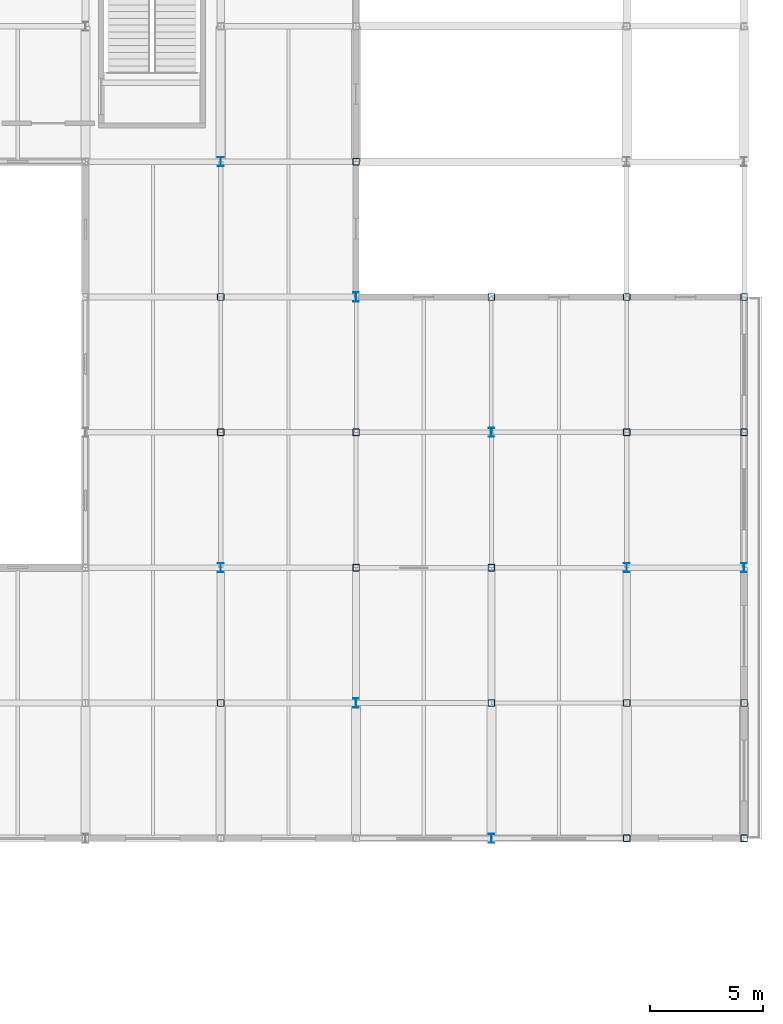
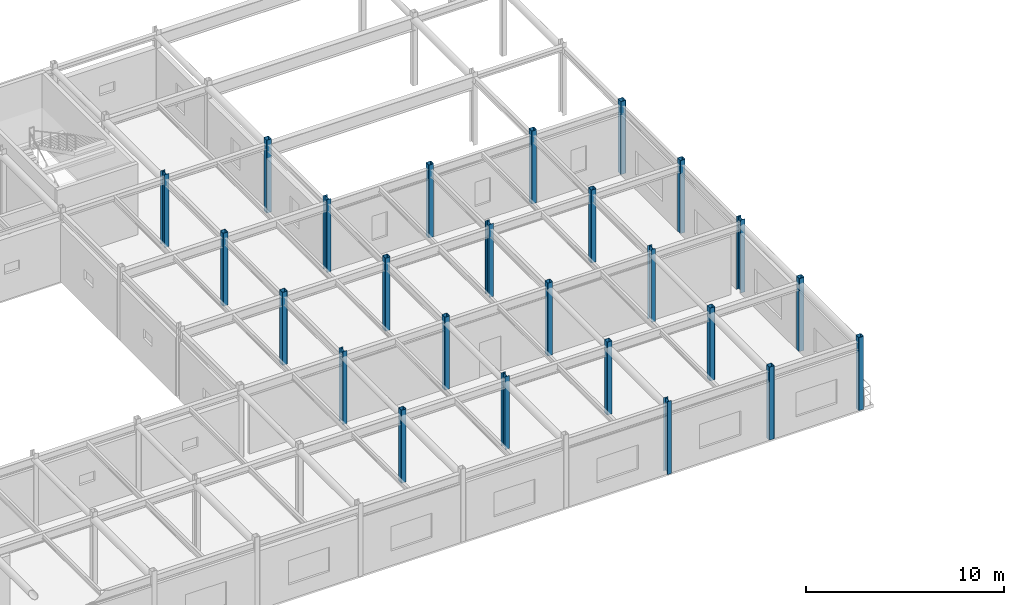
# One storey, part 21 of 96: 25 columns.
"""IFC4 building model written with IfcOpenShell, lengths in metres."""

from ifc_helpers import new_model, si_unit, direction, frame, origin, origin_2d, place, context, subcontext, project, spatial, hollow_rectangle, i_section, extrude, material, material_profile, profile_set, type_object, element, save


model = new_model("IFC4")

# Units and contexts
model_context = context("Model", 3, precision=1e-05, world=origin(), true_north=direction((0.0, 1.0)))
body_context = subcontext(model_context, "Body", "Model", "MODEL_VIEW")
ifc_project = project(units=[si_unit("LENGTHUNIT", "METRE"), si_unit("AREAUNIT", "SQUARE_METRE"), si_unit("VOLUMEUNIT", "CUBIC_METRE"), si_unit("PLANEANGLEUNIT", "RADIAN"), si_unit("MASSUNIT", "GRAM", prefix="KILO")], contexts=[model_context])

# Site, building, storey
site_placement = place(None, origin())
site = spatial("IfcSite", under=ifc_project, at=site_placement, CompositionType="ELEMENT")
building_placement = place(site_placement, origin())
building = spatial("IfcBuilding", under=site, at=building_placement, Name="Varnakota Square Police Headquarters", CompositionType="ELEMENT")
storey_placement = place(building_placement, frame((0.0, 0.0, 4.800048828125)))
storey = spatial("IfcBuildingStorey", under=building, at=storey_placement, Name="L01", CompositionType="ELEMENT", Elevation=4.800048828125)

# Columns
ifc_material = material(Name="Steel IS 2062 Grade 350", Category="steel")
ifc_material_profile_1 = material_profile(ifc_material, i_section(OverallWidth=0.25, OverallDepth=0.39990234375, WebThickness=0.010498046875, FlangeThickness=0.0126953125, FilletRadius=0.013916015625, at=origin_2d()), Name="ISHB 400")
ifc_profile_set_1 = profile_set([ifc_material_profile_1], Name="Steel IS 2062 Grade 350")
column_type_1 = type_object("IfcColumnType", Name="COL-ISHB400", PredefinedType="COLUMN", material=ifc_profile_set_1)
for number, where, z_axis, x_axis, name in (
    (1, (138.0, 81.0, 0.0), (0.0, 0.0, 1.0), (1.0, 0.0, 0.0), "Column X1380-Y0810 L01"),
    (2, (138.0, 99.0, 0.0), (0.0, 0.0, 1.0), (1.0, 0.0, 0.0), "Column X1380-Y0990 L01"),
    (3, (144.0, 75.0, 0.0), (0.0, 0.0, 1.0), (1.0, 0.0, 0.0), "Column X1440-Y0750 L01"),
    (4, (144.0, 93.0, 0.0), (0.0, 0.0, 1.0), (1.0, 0.0, 0.0), "Column X1440-Y0930 L01"),
    (5, (150.0, 69.0, 0.0), (0.0, 0.0, 1.0), (1.0, 0.0, 0.0), "Column X1500-Y0690 L01"),
    (6, (150.0, 87.0, 0.0), (0.0, 0.0, 1.0), (1.0, 0.0, 0.0), "Column X1500-Y0870 L01"),
    (7, (156.0, 81.0, 0.0), (0.0, 0.0, 1.0), (1.0, 0.0, 0.0), "Column X1560-Y0810 L01"),
    (8, (161.199951171875, 81.0, 0.0), (0.0, 0.0, 1.0), (1.0, 0.0, 0.0), "Column X1612-Y0810 L01"),
):
    element("IfcColumn", number, at=place(storey_placement, frame(where, z_axis=z_axis, x_axis=x_axis)), inside=storey, type_object=column_type_1, Name=name, PredefinedType="COLUMN", context=body_context, shape_type="SweptSolid", body=[
        extrude(i_section(OverallWidth=0.25, OverallDepth=0.39990234375, WebThickness=0.010498046875, FlangeThickness=0.0126953125, FilletRadius=0.013916015625, at=origin_2d()), origin(), (0.0, 0.0, 1.0), 4.5),
    ])
ifc_material_profile_2 = material_profile(ifc_material, hollow_rectangle(XDim=0.300048828125, YDim=0.300048828125, WallThickness=0.01611328125, InnerFilletRadius=0.01611328125, OuterFilletRadius=0.031982421875, at=origin_2d()), Name="SHS 300x300x16")
ifc_profile_set_2 = profile_set([ifc_material_profile_2], Name="Steel IS 2062 Grade 350")
column_type_2 = type_object("IfcColumnType", Name="COL-SHS300", PredefinedType="COLUMN", material=ifc_profile_set_2)
for number, where, z_axis, x_axis, name in (
    (9, (138.0, 75.0, 0.0), (0.0, 0.0, 1.0), (1.0, 0.0, 0.0), "Column X1380-Y0750 L01"),
    (10, (138.0, 87.0, 0.0), (0.0, 0.0, 1.0), (1.0, 0.0, 0.0), "Column X1380-Y0870 L01"),
    (11, (138.0, 93.0, 0.0), (0.0, 0.0, 1.0), (1.0, 0.0, 0.0), "Column X1380-Y0930 L01"),
    (12, (144.0, 81.0, 0.0), (0.0, 0.0, 1.0), (1.0, 0.0, 0.0), "Column X1440-Y0810 L01"),
    (13, (144.0, 87.0, 0.0), (0.0, 0.0, 1.0), (1.0, 0.0, 0.0), "Column X1440-Y0870 L01"),
    (14, (144.0, 99.0, 0.0), (0.0, 0.0, 1.0), (1.0, 0.0, 0.0), "Column X1440-Y0990 L01"),
    (15, (150.0, 75.0, 0.0), (0.0, 0.0, 1.0), (1.0, 0.0, 0.0), "Column X1500-Y0750 L01"),
    (16, (150.0, 81.0, 0.0), (0.0, 0.0, 1.0), (1.0, 0.0, 0.0), "Column X1500-Y0810 L01"),
    (17, (150.0, 93.0, 0.0), (0.0, 0.0, 1.0), (1.0, 0.0, 0.0), "Column X1500-Y0930 L01"),
    (18, (156.0, 69.0, 0.0), (0.0, 0.0, 1.0), (1.0, 0.0, 0.0), "Column X1560-Y0690 L01"),
    (19, (156.0, 75.0, 0.0), (0.0, 0.0, 1.0), (1.0, 0.0, 0.0), "Column X1560-Y0750 L01"),
    (20, (156.0, 87.0, 0.0), (0.0, 0.0, 1.0), (1.0, 0.0, 0.0), "Column X1560-Y0870 L01"),
    (21, (156.0, 93.0, 0.0), (0.0, 0.0, 1.0), (1.0, 0.0, 0.0), "Column X1560-Y0930 L01"),
    (22, (161.199951171875, 69.0, 0.0), (0.0, 0.0, 1.0), (1.0, 0.0, 0.0), "Column X1612-Y0690 L01"),
    (23, (161.199951171875, 75.0, 0.0), (0.0, 0.0, 1.0), (1.0, 0.0, 0.0), "Column X1612-Y0750 L01"),
    (24, (161.199951171875, 87.0, 0.0), (0.0, 0.0, 1.0), (1.0, 0.0, 0.0), "Column X1612-Y0870 L01"),
    (25, (161.199951171875, 93.0, 0.0), (0.0, 0.0, 1.0), (1.0, 0.0, 0.0), "Column X1612-Y0930 L01"),
):
    element("IfcColumn", number, at=place(storey_placement, frame(where, z_axis=z_axis, x_axis=x_axis)), inside=storey, type_object=column_type_2, Name=name, PredefinedType="COLUMN", context=body_context, shape_type="SweptSolid", body=[
        extrude(hollow_rectangle(XDim=0.300048828125, YDim=0.300048828125, WallThickness=0.01611328125, InnerFilletRadius=0.01611328125, OuterFilletRadius=0.031982421875, at=origin_2d()), origin(), (0.0, 0.0, 1.0), 4.5),
    ])

save(model, "model.ifc")
